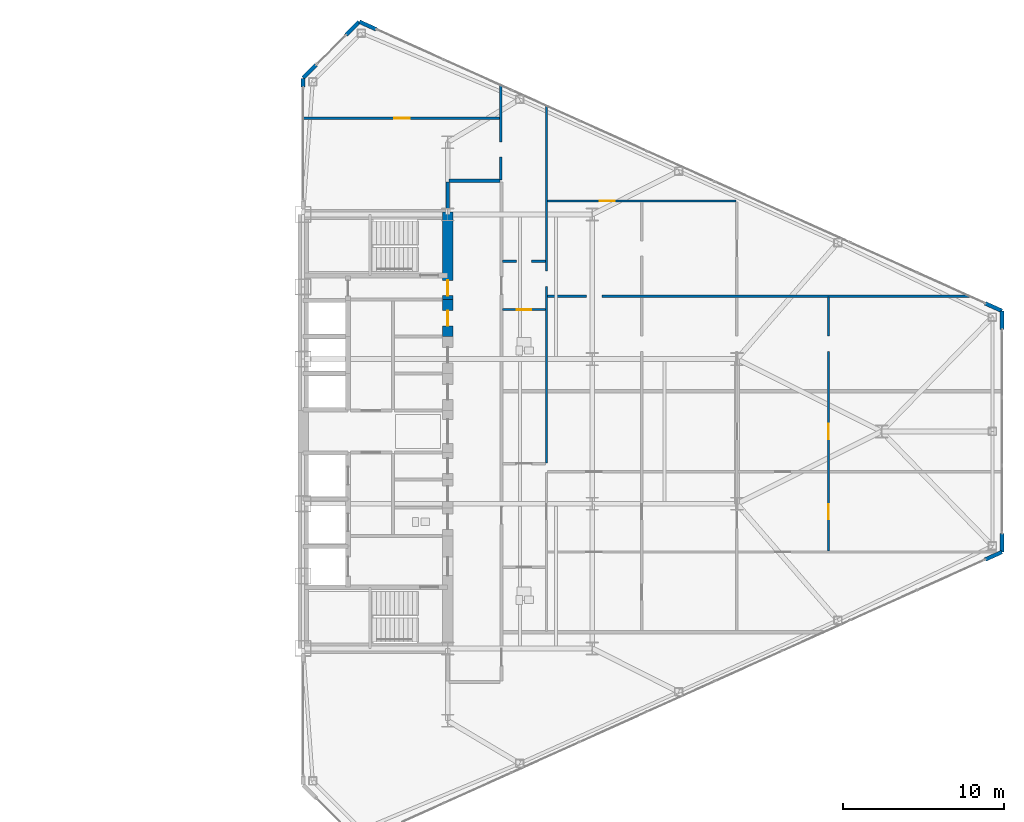
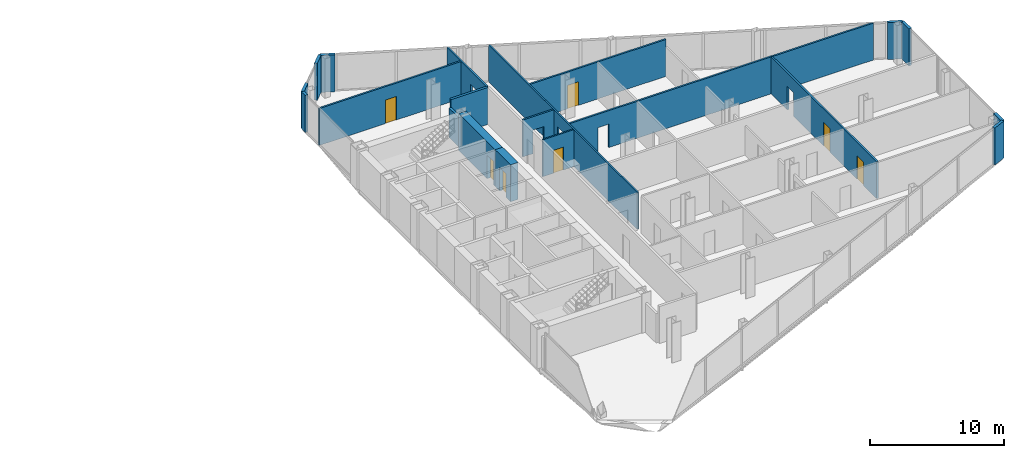
# One storey, part 24 of 27: 20 walls, 7 doors, 12 openings.
"""IFC4 building model written with IfcOpenShell, lengths in metres."""

from ifc_helpers import new_model, si_unit, direction, frame, frame_2d, origin, place, context, subcontext, project, spatial, rectangle, extrude, source, transform, mapped, material, layer, layer_set, type_object, type_shapes, element, fill, save


model = new_model("IFC4")

# Units and contexts
model_context = context("Model", 3, precision=1e-05, world=origin(), true_north=direction((0.0, 1.0)))
body_context = subcontext(model_context, "Body", "Model", "MODEL_VIEW")
ifc_project = project(units=[si_unit("LENGTHUNIT", "METRE"), si_unit("AREAUNIT", "SQUARE_METRE"), si_unit("VOLUMEUNIT", "CUBIC_METRE"), si_unit("PLANEANGLEUNIT", "RADIAN"), si_unit("MASSUNIT", "GRAM", prefix="KILO")], contexts=[model_context])

# Site, building, storey
site_placement = place(None, origin())
site = spatial("IfcSite", under=ifc_project, at=site_placement, CompositionType="ELEMENT")
building_placement = place(site_placement, origin())
building = spatial("IfcBuilding", under=site, at=building_placement, Name="Seokmaru Belvedere", CompositionType="ELEMENT")
storey_placement = place(building_placement, frame((0.0, 0.0, 99.60009765625)))
storey = spatial("IfcBuildingStorey", under=building, at=storey_placement, Name="L26", CompositionType="ELEMENT", Elevation=99.60009765625)

# Wall, opening
ifc_material_1 = material(Name="Fire-Rated Gypsum Shaftwall")
ifc_layer_1 = layer(ifc_material_1, 0.14990234375)
ifc_layer_set_1 = layer_set([ifc_layer_1], Name="Fire-Rated Gypsum Shaftwall")
wall_type_1 = type_object("IfcWallType", Name="Apartment Fire-Acoustic Room Partition 150", PredefinedType="PARTITIONING", material=ifc_layer_set_1)
wall_1_placement = place(storey_placement, frame((42.699951171875, 8.419921875, 0.0), z_axis=(0.0, 0.0, 1.0), x_axis=(1.0, 0.0, 0.0)))
wall_1 = element("IfcWall", 1, at=wall_1_placement, inside=storey, type_object=wall_type_1, Name="L26 Interior Partition 020", PredefinedType="PARTITIONING", context=body_context, shape_type="SweptSolid", body=[
    extrude(rectangle(XDim=26.2919921875, YDim=0.14990234375, at=frame_2d((13.14599609375, 0.0))), origin(), (0.0, 0.0, 1.0), 3.3798828125),
])
opening_1_placement = place(wall_1_placement, frame((2.4375, 0.0, 0.0)))
element("IfcOpeningElement", 2, at=opening_1_placement, cuts=wall_1, Name="L26 Cased Opening 053", PredefinedType="OPENING", context=body_context, shape_type="SweptSolid", body=[
    extrude(rectangle(XDim=0.949951171875, YDim=2.14990234375, at=frame_2d((0.47509765625, 1.074951171875))), frame((0.0, 0.0849609375, 0.0), z_axis=(0.0, -1.0, 0.0), x_axis=(1.0, 0.0, 0.0)), (0.0, 0.0, 1.0), 0.169921875),
])

wall_2_placement = place(storey_placement, frame((39.89990234375, 10.580078125, 0.0), z_axis=(0.0, 0.0, 1.0), x_axis=(1.0, 0.0, 0.0)))
wall_2 = element("IfcWall", 3, at=wall_2_placement, inside=storey, type_object=wall_type_1, Name="L26 Interior Partition 022", PredefinedType="PARTITIONING", context=body_context, shape_type="SweptSolid", body=[
    extrude(rectangle(XDim=2.7001953125, YDim=0.14990234375, at=frame_2d((1.35009765625, 0.0))), origin(), (0.0, 0.0, 1.0), 3.3798828125),
])
opening_2_placement = place(wall_2_placement, frame((0.875, 0.0, 0.0)))
element("IfcOpeningElement", 4, at=opening_2_placement, cuts=wall_2, Name="L26 Cased Opening 051", PredefinedType="OPENING", context=body_context, shape_type="SweptSolid", body=[
    extrude(rectangle(XDim=0.949951171875, YDim=2.14990234375, at=frame_2d((0.47509765625, 1.074951171875))), frame((0.0, 0.0849609375, 0.0), z_axis=(0.0, -1.0, 0.0), x_axis=(1.0, 0.0, 0.0)), (0.0, 0.0, 1.0), 0.169921875),
])

# Wall, opening, door
wall_3_placement = place(storey_placement, frame((42.699951171875, 14.340087890625, 0.0), z_axis=(0.0, 0.0, 1.0), x_axis=(1.0, 0.0, 0.0)))
wall_3 = element("IfcWall", 5, at=wall_3_placement, inside=storey, type_object=wall_type_1, Name="L26 Interior Partition 026", PredefinedType="PARTITIONING", context=body_context, shape_type="SweptSolid", body=[
    extrude(rectangle(XDim=11.75, YDim=0.14990234375, at=frame_2d((5.875, 0.0))), origin(), (0.0, 0.0, 1.0), 3.3798828125),
])
opening_3_placement = place(wall_3_placement, frame((3.255126953125, 0.0, 0.0)))
opening_3 = element("IfcOpeningElement", 6, at=opening_3_placement, cuts=wall_3, Name="Opening D05", PredefinedType="OPENING", context=body_context, shape_type="SweptSolid", body=[
    extrude(rectangle(XDim=0.949951171875, YDim=2.14990234375, at=frame_2d((0.47509765625, 1.074951171875))), frame((0.0, 0.0849609375, 0.0), z_axis=(0.0, -1.0, 0.0), x_axis=(1.0, 0.0, 0.0)), (0.0, 0.0, 1.0), 0.169921875),
])
ifc_material_2 = material(Name="Engineered White Oak Timber", Category="wood")
door_type_1 = type_object("IfcDoorType", Name="Apartment Interior Fire-Rated Oak Door 950x2150", OperationType="NOTDEFINED", PredefinedType="DOOR", material=ifc_material_2)
shared_shape_1 = source(origin(), body_context, "Body", "SweptSolid", [
    extrude(rectangle(XDim=0.949951171875, YDim=2.14990234375, at=frame_2d((0.47509765625, 1.074951171875))), frame((0.0, 0.02490234375, 0.0), z_axis=(0.0, -1.0, 0.0), x_axis=(1.0, 0.0, 0.0)), (0.0, 0.0, 1.0), 0.050048828125),
])
type_shapes(door_type_1, [shared_shape_1])
door_1_placement = place(opening_3_placement, origin())
door_1 = element("IfcDoor", 7, at=door_1_placement, inside=storey, type_object=door_type_1, Name="L26 Interior Door 055", OperationType="SINGLE_SWING_LEFT", OverallHeight=2.14990234375, OverallWidth=0.949951171875, PredefinedType="DOOR", context=body_context, shape_type="MappedRepresentation", body=[
    mapped(shared_shape_1, transform((0.0, 0.0, 0.0), scale=1.0)),
])
fill(opening_3, door_1)

wall_4_placement = place(storey_placement, frame((27.465087890625, 19.5, 0.0), z_axis=(0.0, 0.0, 1.0), x_axis=(1.0, 0.0, 0.0)))
wall_4 = element("IfcWall", 8, at=wall_4_placement, inside=storey, type_object=wall_type_1, Name="L26 Interior Partition 031", PredefinedType="PARTITIONING", context=body_context, shape_type="SweptSolid", body=[
    extrude(rectangle(XDim=12.284912109375, YDim=0.14990234375, at=frame_2d((6.142578125, 0.0))), origin(), (0.0, 0.0, 1.0), 3.3798828125),
])
opening_4_placement = place(wall_4_placement, frame((5.7099609375, 0.0, 0.0)))
opening_4 = element("IfcOpeningElement", 9, at=opening_4_placement, cuts=wall_4, Name="Opening D05", PredefinedType="OPENING", context=body_context, shape_type="SweptSolid", body=[
    extrude(rectangle(XDim=0.949951171875, YDim=2.14990234375, at=frame_2d((0.47509765625, 1.074951171875))), frame((0.0, 0.0849609375, 0.0), z_axis=(0.0, -1.0, 0.0), x_axis=(1.0, 0.0, 0.0)), (0.0, 0.0, 1.0), 0.169921875),
])
door_2_placement = place(opening_4_placement, origin())
door_2 = element("IfcDoor", 10, at=door_2_placement, inside=storey, type_object=door_type_1, Name="L26 Interior Door 061", OperationType="SINGLE_SWING_LEFT", OverallHeight=2.14990234375, OverallWidth=0.949951171875, PredefinedType="DOOR", context=body_context, shape_type="MappedRepresentation", body=[
    mapped(shared_shape_1, transform((0.0, 0.0, 0.0), scale=1.0)),
])
fill(opening_4, door_2)

# Wall, opening
wall_5_placement = place(storey_placement, frame((39.800048828125, 15.64990234375, 0.0), z_axis=(0.0, 0.0, 1.0), x_axis=(0.0, 1.0, 0.0)))
wall_5 = element("IfcWall", 11, at=wall_5_placement, inside=storey, type_object=wall_type_1, Name="L26 Interior Partition 045", PredefinedType="PARTITIONING", context=body_context, shape_type="SweptSolid", body=[
    extrude(rectangle(XDim=5.925048828125, YDim=0.14990234375, at=frame_2d((2.96240234375, 0.0))), origin(), (0.0, 0.0, 1.0), 3.3798828125),
])
opening_5_placement = place(wall_5_placement, frame((1.425048828125, 0.0, 0.0)))
element("IfcOpeningElement", 12, at=opening_5_placement, cuts=wall_5, Name="L26 Cased Opening 060", PredefinedType="OPENING", context=body_context, shape_type="SweptSolid", body=[
    extrude(rectangle(XDim=0.949951171875, YDim=2.14990234375, at=frame_2d((0.47509765625, 1.074951171875))), frame((0.0, 0.0849609375, 0.0), z_axis=(0.0, -1.0, 0.0), x_axis=(1.0, 0.0, 0.0)), (0.0, 0.0, 1.0), 0.169921875),
])

# Wall, openings, doors
wall_6_placement = place(storey_placement, frame((60.199951171875, -7.449951171875, 0.0), z_axis=(0.0, 0.0, 1.0), x_axis=(0.0, 1.0, 0.0)))
wall_6 = element("IfcWall", 13, at=wall_6_placement, inside=storey, type_object=wall_type_1, Name="L26 Interior Partition 051", PredefinedType="PARTITIONING", context=body_context, shape_type="SweptSolid", body=[
    extrude(rectangle(XDim=15.81884765625, YDim=0.14990234375, at=frame_2d((7.909423828125, 0.0))), origin(), (0.0, 0.0, 1.0), 3.3798828125),
])
opening_6_placement = place(wall_6_placement, frame((1.97509765625, 0.0, 0.0)))
opening_6 = element("IfcOpeningElement", 14, at=opening_6_placement, cuts=wall_6, Name="Opening D05", PredefinedType="OPENING", context=body_context, shape_type="SweptSolid", body=[
    extrude(rectangle(XDim=0.949951171875, YDim=2.14990234375, at=frame_2d((0.47509765625, 1.074951171875))), frame((0.0, 0.0849609375, 0.0), z_axis=(0.0, -1.0, 0.0), x_axis=(1.0, 0.0, 0.0)), (0.0, 0.0, 1.0), 0.169921875),
])
opening_7_placement = place(wall_6_placement, frame((6.97509765625, 0.0, 0.0)))
opening_7 = element("IfcOpeningElement", 15, at=opening_7_placement, cuts=wall_6, Name="Opening D05", PredefinedType="OPENING", context=body_context, shape_type="SweptSolid", body=[
    extrude(rectangle(XDim=0.949951171875, YDim=2.14990234375, at=frame_2d((0.47509765625, 1.074951171875))), frame((0.0, 0.0849609375, 0.0), z_axis=(0.0, -1.0, 0.0), x_axis=(1.0, 0.0, 0.0)), (0.0, 0.0, 1.0), 0.169921875),
])
opening_8_placement = place(wall_6_placement, frame((12.4345703125, 0.0, 0.0)))
element("IfcOpeningElement", 16, at=opening_8_placement, cuts=wall_6, Name="L26 Cased Opening 059", PredefinedType="OPENING", context=body_context, shape_type="SweptSolid", body=[
    extrude(rectangle(XDim=0.949951171875, YDim=2.14990234375, at=frame_2d((0.47509765625, 1.074951171875))), frame((0.0, 0.0849609375, 0.0), z_axis=(0.0, -1.0, 0.0), x_axis=(1.0, 0.0, 0.0)), (0.0, 0.0, 1.0), 0.169921875),
])
door_3_placement = place(opening_6_placement, origin())
door_3 = element("IfcDoor", 17, at=door_3_placement, inside=storey, type_object=door_type_1, Name="L26 Interior Door 044", OperationType="SINGLE_SWING_LEFT", OverallHeight=2.14990234375, OverallWidth=0.949951171875, PredefinedType="DOOR", context=body_context, shape_type="MappedRepresentation", body=[
    mapped(shared_shape_1, transform((0.0, 0.0, 0.0), scale=1.0)),
])
fill(opening_6, door_3)
door_4_placement = place(opening_7_placement, origin())
door_4 = element("IfcDoor", 18, at=door_4_placement, inside=storey, type_object=door_type_1, Name="L26 Interior Door 046", OperationType="SINGLE_SWING_LEFT", OverallHeight=2.14990234375, OverallWidth=0.949951171875, PredefinedType="DOOR", context=body_context, shape_type="MappedRepresentation", body=[
    mapped(shared_shape_1, transform((0.0, 0.0, 0.0), scale=1.0)),
])
fill(opening_7, door_4)

# Walls
ifc_layer_2 = layer(ifc_material_1, 0.199951171875)
ifc_layer_set_2 = layer_set([ifc_layer_2], Name="Fire-Rated Gypsum Shaftwall")
wall_type_2 = type_object("IfcWallType", Name="Inter-Tenancy Fire Compartment Partition 200", PredefinedType="PARTITIONING", material=ifc_layer_set_2)
wall_7_placement = place(storey_placement, frame((36.5849609375, 15.60009765625, 0.0), z_axis=(0.0, 0.0, 1.0), x_axis=(1.0, 0.0, 0.0)))
element("IfcWall", 19, at=wall_7_placement, inside=storey, type_object=wall_type_2, Name="L26 Interior Partition 028", PredefinedType="PARTITIONING", context=body_context, shape_type="SweptSolid", body=[
    extrude(rectangle(XDim=3.179931640625, YDim=0.199951171875, at=frame_2d((1.58984375, 0.0))), origin(), (0.0, 0.0, 1.0), 3.3798828125),
])
wall_8_placement = place(storey_placement, frame((36.5, 13.830078125, 0.0), z_axis=(0.0, 0.0, 1.0), x_axis=(0.0, 1.0, 0.0)))
element("IfcWall", 20, at=wall_8_placement, inside=storey, type_object=wall_type_2, Name="L26 Interior Partition 044", PredefinedType="PARTITIONING", context=body_context, shape_type="SweptSolid", body=[
    extrude(rectangle(XDim=1.684814453125, YDim=0.199951171875, at=frame_2d((0.84228515625, 0.0))), origin(), (0.0, 0.0, 1.0), 2.679931640625),
])

# Wall, opening, door
ifc_material_3 = material(Name="Concrete C60 (60 MPa)", Category="concrete")
ifc_layer_3 = layer(ifc_material_3, 0.64990234375)
ifc_layer_set_3 = layer_set([ifc_layer_3], Name="Concrete C60 (60 MPa)")
wall_type_3 = type_object("IfcWallType", Name="Mid-Low Reinforced Concrete Core Wall 650", PredefinedType="SHEAR", material=ifc_layer_set_3)
wall_9_placement = place(storey_placement, frame((36.5, 8.199951171875, 0.0), z_axis=(0.0, 0.0, 1.0), x_axis=(0.0, 1.0, 0.0)))
wall_9 = element("IfcWall", 21, at=wall_9_placement, inside=storey, type_object=wall_type_3, Name="L26 East West Core Wall VST", PredefinedType="SHEAR", context=body_context, shape_type="SweptSolid", body=[
    extrude(rectangle(XDim=5.449951171875, YDim=0.64990234375, at=frame_2d((2.72509765625, 0.0))), origin(), (0.0, 0.0, 1.0), 3.3798828125),
])
opening_9_placement = place(wall_9_placement, frame((0.2451171875, 0.0, 0.0)))
opening_9 = element("IfcOpeningElement", 22, at=opening_9_placement, cuts=wall_9, Name="Opening D04", PredefinedType="OPENING", context=body_context, shape_type="SweptSolid", body=[
    extrude(rectangle(XDim=0.949951171875, YDim=2.14990234375, at=frame_2d((0.47509765625, 1.074951171875))), frame((0.0, 0.3349609375, 0.0), z_axis=(0.0, -1.0, 0.0), x_axis=(1.0, 0.0, 0.0)), (0.0, 0.0, 1.0), 0.669921875),
])
ifc_material_4 = material(Name="Fire-Rated Steel Leaf", Category="steel")
door_type_2 = type_object("IfcDoorType", Name="Core Service Room Fire Door 950x2150", OperationType="NOTDEFINED", PredefinedType="DOOR", material=ifc_material_4)
shared_shape_2 = source(origin(), body_context, "Body", "SweptSolid", [
    extrude(rectangle(XDim=0.949951171875, YDim=2.14990234375, at=frame_2d((0.47509765625, 1.074951171875))), frame((0.0, 0.02490234375, 0.0), z_axis=(0.0, -1.0, 0.0), x_axis=(1.0, 0.0, 0.0)), (0.0, 0.0, 1.0), 0.050048828125),
])
type_shapes(door_type_2, [shared_shape_2])
door_5_placement = place(opening_9_placement, origin())
door_5 = element("IfcDoor", 23, at=door_5_placement, inside=storey, type_object=door_type_2, Name="L26 East Smokeproof Vestibule Door", OperationType="SINGLE_SWING_LEFT", OverallHeight=2.14990234375, OverallWidth=0.949951171875, PredefinedType="DOOR", context=body_context, shape_type="MappedRepresentation", body=[
    mapped(shared_shape_2, transform((0.0, 0.0, 0.0), scale=1.0)),
])
fill(opening_9, door_5)

wall_10_placement = place(storey_placement, frame((36.5, 5.89990234375, 0.0), z_axis=(0.0, 0.0, 1.0), x_axis=(0.0, 1.0, 0.0)))
wall_10 = element("IfcWall", 24, at=wall_10_placement, inside=storey, type_object=wall_type_3, Name="L26 East West Core Wall CS6", PredefinedType="SHEAR", context=body_context, shape_type="SweptSolid", body=[
    extrude(rectangle(XDim=2.300048828125, YDim=0.64990234375, at=frame_2d((1.14990234375, 0.0))), origin(), (0.0, 0.0, 1.0), 3.3798828125),
])
opening_10_placement = place(wall_10_placement, frame((0.675048828125, 0.0, 0.0)))
opening_10 = element("IfcOpeningElement", 25, at=opening_10_placement, cuts=wall_10, Name="Opening D04", PredefinedType="OPENING", context=body_context, shape_type="SweptSolid", body=[
    extrude(rectangle(XDim=0.949951171875, YDim=2.14990234375, at=frame_2d((0.47509765625, 1.074951171875))), frame((0.0, 0.3349609375, 0.0), z_axis=(0.0, -1.0, 0.0), x_axis=(1.0, 0.0, 0.0)), (0.0, 0.0, 1.0), 0.669921875),
])
door_6_placement = place(opening_10_placement, origin())
door_6 = element("IfcDoor", 26, at=door_6_placement, inside=storey, type_object=door_type_2, Name="L26 East Core Service Room Door 6", OperationType="SINGLE_SWING_LEFT", OverallHeight=2.14990234375, OverallWidth=0.949951171875, PredefinedType="DOOR", context=body_context, shape_type="MappedRepresentation", body=[
    mapped(shared_shape_2, transform((0.0, 0.0, 0.0), scale=1.0)),
])
fill(opening_10, door_6)

ifc_layer_4 = layer(ifc_material_1, 0.1298828125)
ifc_layer_set_4 = layer_set([ifc_layer_4], Name="Fire-Rated Gypsum Shaftwall")
wall_type_4 = type_object("IfcWallType", Name="Moisture-Resistant Fire-Rated Bathroom Partition 130", PredefinedType="PARTITIONING", material=ifc_layer_set_4)
wall_11_placement = place(storey_placement, frame((39.89990234375, 7.580078125, 0.0), z_axis=(0.0, 0.0, 1.0), x_axis=(1.0, 0.0, 0.0)))
wall_11 = element("IfcWall", 27, at=wall_11_placement, inside=storey, type_object=wall_type_4, Name="L26 Interior Partition 019", PredefinedType="PARTITIONING", context=body_context, shape_type="SweptSolid", body=[
    extrude(rectangle(XDim=2.7001953125, YDim=0.1298828125, at=frame_2d((1.35009765625, 0.0))), origin(), (0.0, 0.0, 1.0), 3.3798828125),
])
opening_11_placement = place(wall_11_placement, frame((0.909912109375, 0.0, 0.0)))
opening_11 = element("IfcOpeningElement", 28, at=opening_11_placement, cuts=wall_11, Name="Opening D06", PredefinedType="OPENING", context=body_context, shape_type="SweptSolid", body=[
    extrude(rectangle(XDim=0.8798828125, YDim=2.10009765625, at=frame_2d((0.43994140625, 1.050048828125))), frame((0.0, 0.074951171875, 0.0), z_axis=(0.0, -1.0, 0.0), x_axis=(1.0, 0.0, 0.0)), (0.0, 0.0, 1.0), 0.14990234375),
])
door_type_3 = type_object("IfcDoorType", Name="Bathroom and Restroom Fire-Rated Door 880x2100", OperationType="NOTDEFINED", PredefinedType="DOOR", material=ifc_material_2)
shared_shape_3 = source(origin(), body_context, "Body", "SweptSolid", [
    extrude(rectangle(XDim=0.8798828125, YDim=2.10009765625, at=frame_2d((0.43994140625, 1.050048828125))), frame((0.0, 0.02490234375, 0.0), z_axis=(0.0, -1.0, 0.0), x_axis=(1.0, 0.0, 0.0)), (0.0, 0.0, 1.0), 0.050048828125),
])
type_shapes(door_type_3, [shared_shape_3])
door_7_placement = place(opening_11_placement, origin())
door_7 = element("IfcDoor", 29, at=door_7_placement, inside=storey, type_object=door_type_3, Name="L26 Interior Door 050", OperationType="SINGLE_SWING_RIGHT", OverallHeight=2.10009765625, OverallWidth=0.8798828125, PredefinedType="DOOR", context=body_context, shape_type="MappedRepresentation", body=[
    mapped(shared_shape_3, transform((0.0, 0.0, 0.0), scale=1.0)),
])
fill(opening_11, door_7)

# Wall, opening
wall_12_placement = place(storey_placement, frame((42.64990234375, -1.947998046875, 0.0), z_axis=(0.0, 0.0, 1.0), x_axis=(0.0, 1.0, 0.0)))
wall_12 = element("IfcWall", 30, at=wall_12_placement, inside=storey, type_object=wall_type_4, Name="L26 Interior Partition 048", PredefinedType="PARTITIONING", context=body_context, shape_type="SweptSolid", body=[
    extrude(rectangle(XDim=22.240966796875, YDim=0.1298828125, at=frame_2d((11.12060546875, 0.0))), origin(), (0.0, 0.0, 1.0), 3.3798828125),
])
opening_12_placement = place(wall_12_placement, frame((10.971435546875, 0.0, 0.0)))
element("IfcOpeningElement", 31, at=opening_12_placement, cuts=wall_12, Name="L26 Cased Opening 052", PredefinedType="OPENING", context=body_context, shape_type="SweptSolid", body=[
    extrude(rectangle(XDim=0.949951171875, YDim=2.14990234375, at=frame_2d((0.47509765625, 1.074951171875))), frame((0.0, 0.074951171875, 0.0), z_axis=(0.0, -1.0, 0.0), x_axis=(1.0, 0.0, 0.0)), (0.0, 0.0, 1.0), 0.14990234375),
])

# Walls
ifc_material_5 = material(Name="Anodised Bronze Aluminium", Category="aluminium")
ifc_layer_5 = layer(ifc_material_5, 0.239990234375)
ifc_layer_set_5 = layer_set([ifc_layer_5], Name="Anodised Bronze Aluminium")
wall_type_5 = type_object("IfcWallType", Name="Tower Corner Spandrel Closure Wall 240", PredefinedType="SOLIDWALL", material=ifc_layer_set_5)
for number, where, z_axis, x_axis, name in (
    (32, (69.951416015625, -7.971923828125, 0.0), (0.0, 0.0, 1.0), (0.911929519623, 0.410346866979, 0.0), "L26 E Corner Closure Pier 1B"),
    (33, (71.0, -7.489990234375, 0.0), (0.0, 0.0, 1.0), (0.0, 1.0, 0.0), "L26 E Corner Closure Pier 2A"),
    (34, (71.0, 6.35009765625, 0.0), (0.0, 0.0, 1.0), (0.0, 1.0, 0.0), "L26 E Corner Closure Pier 2B"),
    (35, (70.990966796875, 7.504150390625, 0.0), (0.0, 0.0, 1.0), (-0.911929519623, 0.410346866979, 0.0), "L26 E Corner Closure Pier 3A"),
    (36, (32.048583984375, 25.028076171875, 0.0), (0.0, 0.0, 1.0), (-0.911929519623, 0.410346866979, 0.0), "L26 E Corner Closure Pier 3B"),
):
    element("IfcWall", number, at=place(storey_placement, frame(where, z_axis=z_axis, x_axis=x_axis)), inside=storey, type_object=wall_type_5, Name=name, PredefinedType="SOLIDWALL", context=body_context, shape_type="SweptSolid", body=[
        extrude(rectangle(XDim=1.139892578125, YDim=0.239990234375, at=frame_2d((0.56982421875, 0.0))), origin(), (0.0, 0.0, 1.0), 3.3798828125),
    ])
for number, where, z_axis, x_axis, name in (
    (37, (30.992919921875, 25.492919921875, 0.0), (0.0, 0.0, 1.0), (-0.707106781187, -0.707106781187, 0.0), "L26 E Corner Closure Pier 4A"),
    (38, (28.313232421875, 22.813232421875, 0.0), (0.0, 0.0, 1.0), (-0.707106781187, -0.707106781187, 0.0), "L26 E Corner Closure Pier 4B"),
):
    element("IfcWall", number, at=place(storey_placement, frame(where, z_axis=z_axis, x_axis=x_axis)), inside=storey, type_object=wall_type_5, Name=name, PredefinedType="SOLIDWALL", context=body_context, shape_type="SweptSolid", body=[
        extrude(rectangle(XDim=1.14013671875, YDim=0.239990234375, at=frame_2d((0.570068359375, 0.0))), origin(), (0.0, 0.0, 1.0), 3.3798828125),
    ])
wall_13_placement = place(storey_placement, frame((27.5, 21.429931640625, 0.0), z_axis=(0.0, 0.0, 1.0), x_axis=(0.0, 1.0, 0.0)))
element("IfcWall", 39, at=wall_13_placement, inside=storey, type_object=wall_type_5, Name="L26 E Spine Closure Pier 2B", PredefinedType="SOLIDWALL", context=body_context, shape_type="SweptSolid", body=[
    extrude(rectangle(XDim=0.550048828125, YDim=0.239990234375, at=frame_2d((0.27490234375, 0.0))), origin(), (0.0, 0.0, 1.0), 3.3798828125),
])

save(model, "model.ifc")
